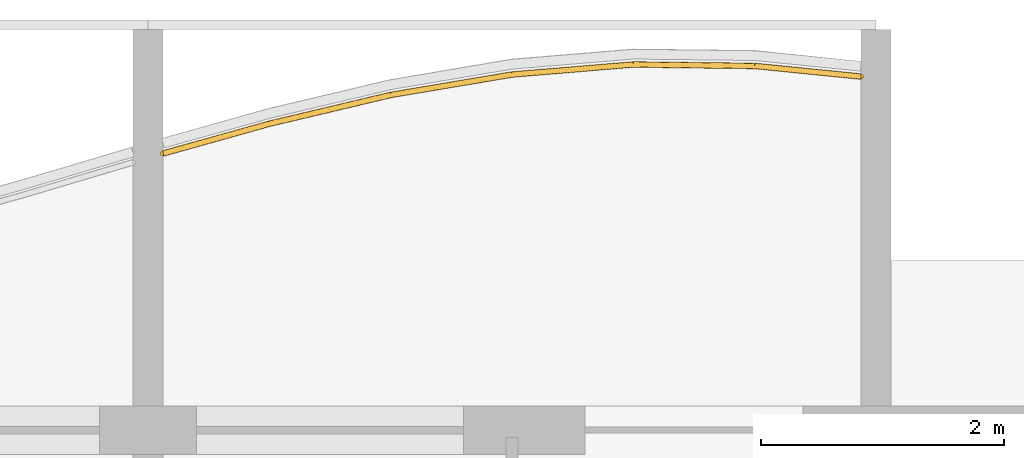
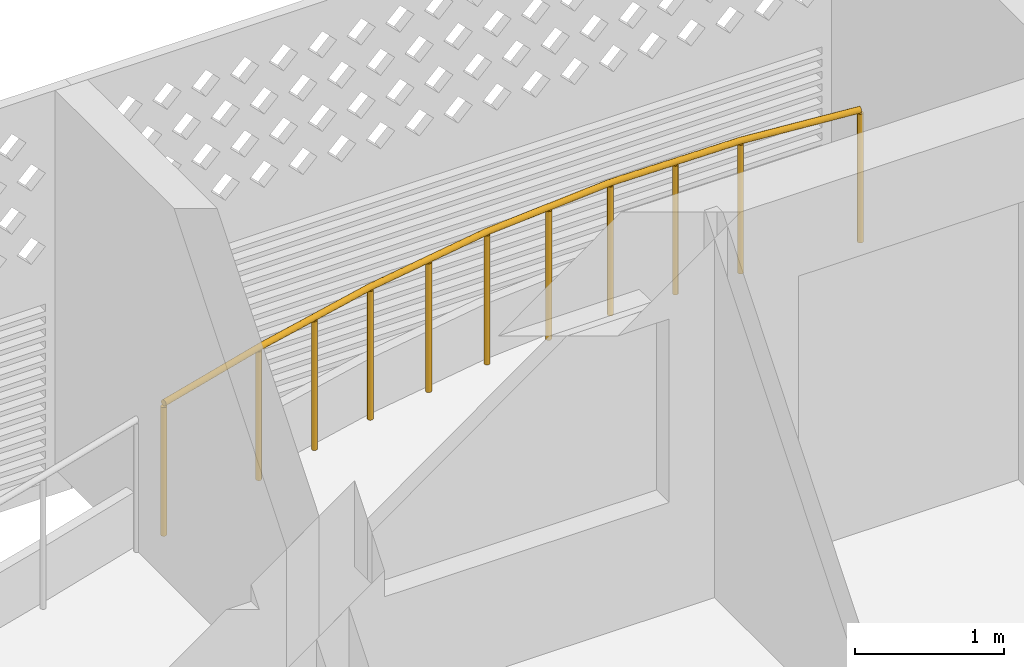
# One storey, part 25 of 26: 1 railing.
"""IFC4 building model written with IfcOpenShell, lengths in metres."""

from ifc_helpers import new_model, si_unit, direction, frame, origin, origin_2d, place, context, subcontext, project, spatial, circle, extrude, material, type_object, element, save


model = new_model("IFC4")

# Units and contexts
model_context = context("Model", 3, precision=1e-05, world=origin(), true_north=direction((0.0, 1.0)))
body_context = subcontext(model_context, "Body", "Model", "MODEL_VIEW")
ifc_project = project(units=[si_unit("LENGTHUNIT", "METRE"), si_unit("AREAUNIT", "SQUARE_METRE"), si_unit("VOLUMEUNIT", "CUBIC_METRE"), si_unit("PLANEANGLEUNIT", "RADIAN"), si_unit("MASSUNIT", "GRAM", prefix="KILO")], contexts=[model_context])

# Site, building, storey
site_placement = place(None, origin())
site = spatial("IfcSite", under=ifc_project, at=site_placement, CompositionType="ELEMENT")
building_placement = place(site_placement, origin())
building = spatial("IfcBuilding", under=site, at=building_placement, Name="Poui Terraces", CompositionType="ELEMENT")
storey_placement = place(building_placement, frame((0.0, 0.0, 171.89990234375)))
storey = spatial("IfcBuildingStorey", under=building, at=storey_placement, Name="L47", CompositionType="ELEMENT", Elevation=171.89990234375)

# Railing
ifc_material = material(Name="Painted steel fretwork", Category="steel")
railing_type = type_object("IfcRailingType", Name="BALCONY GUARD 1100", PredefinedType="GUARDRAIL", material=ifc_material)
railing_placement = place(storey_placement, frame((72.125, 43.47998046875, 0.0)))
element("IfcRailing", 1, at=railing_placement, inside=storey, type_object=railing_type, Name="BALCONY GUARD", PredefinedType="GUARDRAIL", context=body_context, shape_type="SweptSolid", body=[
    extrude(circle(Radius=0.02392578125, at=origin_2d()), frame((0.0, 0.0, 1.076171875), z_axis=(0.963000288712, 0.269500359815, 0.0), x_axis=(-0.269500359815, 0.963000288712, 0.0)), (0.0, 0.0, 1.0), 0.90869140625),
    extrude(circle(Radius=0.02392578125, at=origin_2d()), frame((0.875, 0.244873046875, 1.076171875), z_axis=(0.972979257535, 0.230892538653, 0.0), x_axis=(-0.230892538653, 0.972979257535, 0.0)), (0.0, 0.0, 1.0), 1.02783203125),
    extrude(circle(Radius=0.02392578125, at=origin_2d()), frame((1.875, 0.482177734375, 1.076171875), z_axis=(0.986106132513, 0.166116511581, 0.0), x_axis=(-0.166116511581, 0.986106132513, 0.0)), (0.0, 0.0, 1.0), 1.01416015625),
    extrude(circle(Radius=0.02392578125, at=origin_2d()), frame((2.875, 0.650634765625, 1.076171875), z_axis=(0.996592582512, 0.082481661492, 0.0), x_axis=(-0.082481661492, 0.996592582512, 0.0)), (0.0, 0.0, 1.0), 1.00341796875),
    extrude(circle(Radius=0.02392578125, at=origin_2d()), frame((3.875, 0.7333984375, 1.076171875), z_axis=(0.999928452303, -0.011962034708, 0.0), x_axis=(0.011962034708, 0.999928452303, 0.0)), (0.0, 0.0, 1.0), 1.0),
    extrude(circle(Radius=0.02392578125, at=origin_2d()), frame((4.875, 0.721435546875, 1.076171875), z_axis=(0.995048179628, -0.099393763478, 0.0), x_axis=(0.099393763478, 0.995048179628, 0.0)), (0.0, 0.0, 1.0), 0.87939453125),
    extrude(circle(Radius=0.02099609375, at=origin_2d()), origin(), (0.0, 0.0, 1.0), 1.052001953125),
    extrude(circle(Radius=0.02099609375, at=origin_2d()), frame((0.875, 0.244873046875, 0.0)), (0.0, 0.0, 1.0), 1.052001953125),
    extrude(circle(Radius=0.02099609375, at=origin_2d()), frame((1.375, 0.363525390625, 0.0)), (0.0, 0.0, 1.0), 1.052001953125),
    extrude(circle(Radius=0.02099609375, at=origin_2d()), frame((1.875, 0.482177734375, 0.0)), (0.0, 0.0, 1.0), 1.052001953125),
    extrude(circle(Radius=0.02099609375, at=origin_2d()), frame((2.375, 0.56640625, 0.0)), (0.0, 0.0, 1.0), 1.052001953125),
    extrude(circle(Radius=0.02099609375, at=origin_2d()), frame((2.875, 0.650634765625, 0.0)), (0.0, 0.0, 1.0), 1.052001953125),
    extrude(circle(Radius=0.02099609375, at=origin_2d()), frame((3.375, 0.69189453125, 0.0)), (0.0, 0.0, 1.0), 1.052001953125),
    extrude(circle(Radius=0.02099609375, at=origin_2d()), frame((3.875, 0.7333984375, 0.0)), (0.0, 0.0, 1.0), 1.052001953125),
    extrude(circle(Radius=0.02099609375, at=origin_2d()), frame((4.375, 0.7275390625, 0.0)), (0.0, 0.0, 1.0), 1.052001953125),
    extrude(circle(Radius=0.02099609375, at=origin_2d()), frame((4.875, 0.721435546875, 0.0)), (0.0, 0.0, 1.0), 1.052001953125),
    extrude(circle(Radius=0.02099609375, at=origin_2d()), frame((5.75, 0.634033203125, 0.0)), (0.0, 0.0, 1.0), 1.052001953125),
])

save(model, "model.ifc")
